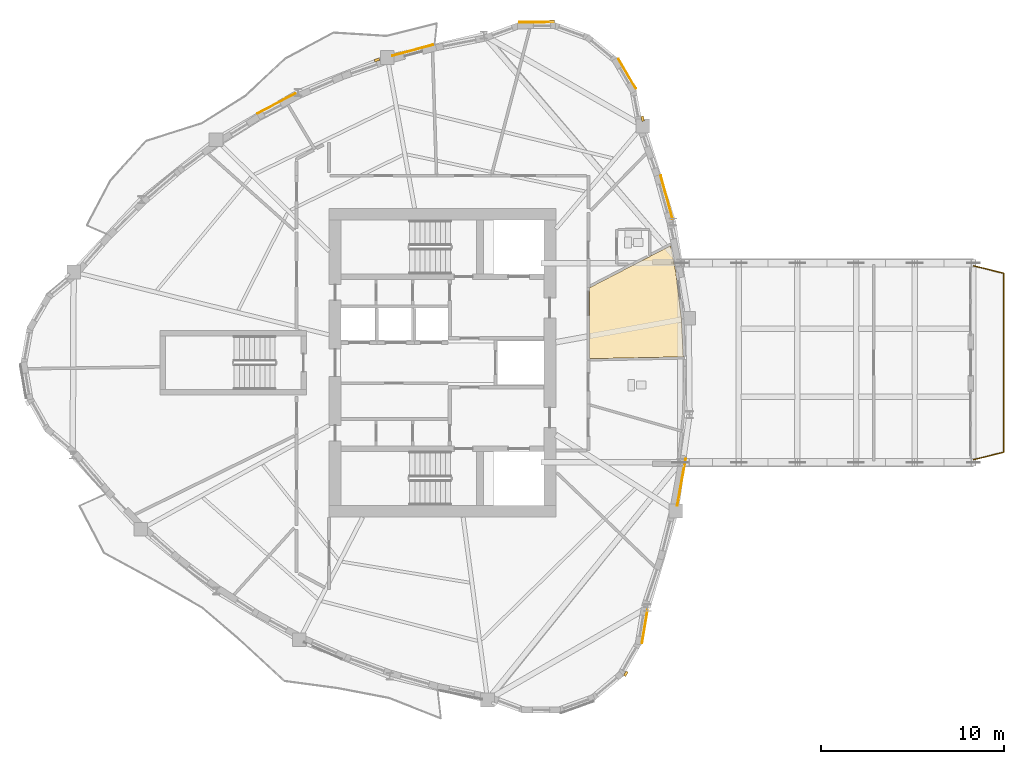
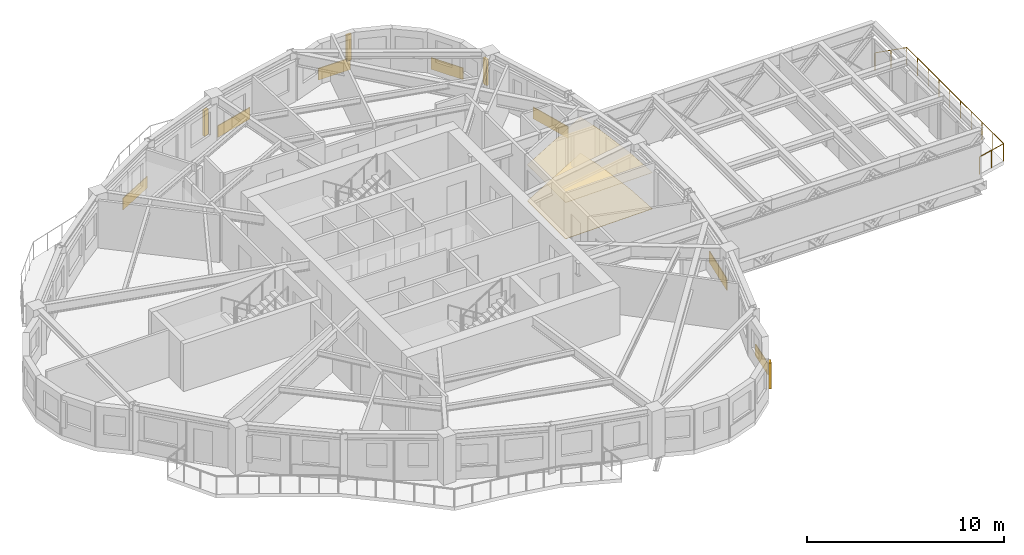
# One storey, part 12 of 13: 9 coverings, 4 shading devices, 1 railing.
"""IFC4 building model written with IfcOpenShell, lengths in metres."""

from ifc_helpers import new_model, si_unit, direction, frame, origin, origin_2d, place, context, subcontext, project, spatial, polyline, rectangle, circle, outline, extrude, source, transform, mapped, material, layer, layer_set, type_object, element, save


model = new_model("IFC4")

# Units and contexts
model_context = context("Model", 3, precision=1e-05, world=origin(), true_north=direction((0.0, 1.0)))
body_context = subcontext(model_context, "Body", "Model", "MODEL_VIEW")
ifc_project = project(units=[si_unit("LENGTHUNIT", "METRE"), si_unit("AREAUNIT", "SQUARE_METRE"), si_unit("VOLUMEUNIT", "CUBIC_METRE"), si_unit("PLANEANGLEUNIT", "RADIAN"), si_unit("MASSUNIT", "GRAM", prefix="KILO")], contexts=[model_context])

# Site, building, storey
site_placement = place(None, origin())
site = spatial("IfcSite", under=ifc_project, at=site_placement, CompositionType="ELEMENT")
building_placement = place(site_placement, origin())
building = spatial("IfcBuilding", under=site, at=building_placement, Name="Qafzar Sky-Pleat Residences", CompositionType="ELEMENT")
storey_placement = place(building_placement, frame((0.0, 0.0, 152.199951171875)))
storey = spatial("IfcBuildingStorey", under=building, at=storey_placement, Name="L45", CompositionType="ELEMENT", Elevation=152.199951171875)

# Coverings
ifc_material_1 = material(Name="Perforated acoustic gypsum board ceiling")
ifc_layer_1 = layer(ifc_material_1, 0.02001953125)
ifc_layer_set_1 = layer_set([ifc_layer_1], Name="Perforated acoustic gypsum board ceiling")
covering_type_1 = type_object("IfcCoveringType", Name="COV-CEIL-ACOUSTIC", PredefinedType="CEILING", material=ifc_layer_set_1)
covering_1_placement = place(storey_placement, frame((0.0, 0.0, 2.239990234375)))
element("IfcCovering", 1, at=covering_1_placement, inside=storey, type_object=covering_type_1, Name="L45 Co-Living Lounge Acoustic Ceiling", PredefinedType="CEILING", context=body_context, shape_type="SweptSolid", body=[
    extrude(outline(polyline([(43.104736328125, 31.0078125), (43.42724609375, 28.40478515625), (43.5263671875, 26.322998046875), (38.389892578125, 26.220458984375), (38.389892578125, 30.101318359375), (42.825927734375, 32.401611328125), (43.104736328125, 31.0078125)])), origin(), (0.0, 0.0, 1.0), 0.02001953125),
])
ifc_material_2 = material(Name="Honed porcelain and Riyadh stone tile flooring", Category="masonry")
ifc_layer_2 = layer(ifc_material_2, 0.02001953125)
ifc_layer_set_2 = layer_set([ifc_layer_2], Name="Honed porcelain and Riyadh stone tile flooring")
covering_type_2 = type_object("IfcCoveringType", Name="COV-FLR-PORCELAIN", PredefinedType="FLOORING", material=ifc_layer_set_2)
covering_2_placement = place(storey_placement, origin())
element("IfcCovering", 2, at=covering_2_placement, inside=storey, type_object=covering_type_2, Name="L45 Co-Living Lounge Honed Stone Flooring", PredefinedType="FLOORING", context=body_context, shape_type="SweptSolid", body=[
    extrude(outline(polyline([(43.104736328125, 31.0078125), (43.42724609375, 28.40478515625), (43.5263671875, 26.322998046875), (38.389892578125, 26.220458984375), (38.389892578125, 30.101318359375), (42.825927734375, 32.401611328125), (43.104736328125, 31.0078125)])), origin(), (0.0, 0.0, 1.0), 0.02001953125),
])

# Shading devices
ifc_material_3 = material(Name="Honed Riyadh limestone solar fin", Category="masonry")
ifc_layer_3 = layer(ifc_material_3, 0.139892578125)
ifc_layer_set_3 = layer_set([ifc_layer_3], Name="Honed Riyadh limestone solar fin")
shading_device_type = type_object("IfcShadingDeviceType", Name="SHD-FIN-STONE", PredefinedType="SHUTTER", material=ifc_layer_set_3)
shared_shape_1 = source(origin(), body_context, "Body", "SweptSolid", [
    extrude(rectangle(XDim=0.139892578125, YDim=0.280029296875, at=origin_2d()), origin(), (0.0, 0.0, 1.0), 1.60009765625),
])
for number, where, z_axis, x_axis, name in (
    (3, (40.382080078125, 8.986572265625, 0.60009765625), (0.0, 0.0, 1.0), (0.86842169793, -0.495826335086, 0.0), "L45 Limestone Solar Fin 21"),
    (4, (41.303955078125, 39.34912109375, 0.60009765625), (0.0, 0.0, 1.0), (0.983236665958, 0.182333920912, 0.0), "L45 Limestone Solar Fin 33"),
    (5, (36.347412109375, 44.678466796875, 0.60009765625), (0.0, 0.0, 1.0), (-0.002393888715, 0.999997134644, 0.0), "L45 Limestone Solar Fin 37"),
    (6, (26.76708984375, 42.565185546875, 0.60009765625), (0.0, 0.0, 1.0), (-0.329563194249, 0.944133518628, 0.0), "L45 Limestone Solar Fin 41"),
):
    element("IfcShadingDevice", number, at=place(storey_placement, frame(where, z_axis=z_axis, x_axis=x_axis)), inside=storey, type_object=shading_device_type, Name=name, PredefinedType="SHUTTER", context=body_context, shape_type="MappedRepresentation", body=[
        mapped(shared_shape_1, transform((0.0, 0.0, 0.0), x_axis=(1.0, 0.0, 0.0), y_axis=(0.0, 1.0, 0.0), z_axis=(0.0, 0.0, 1.0), scale=1.0)),
    ])

# Coverings
ifc_material_4 = material(Name="Honed Riyadh Tuwaiq limestone cladding", Category="masonry")
ifc_layer_4 = layer(ifc_material_4, 0.044921875)
ifc_layer_set_4 = layer_set([ifc_layer_4], Name="Honed Riyadh Tuwaiq limestone cladding")
covering_type_3 = type_object("IfcCoveringType", Name="COV-CLAD-STONE", PredefinedType="CLADDING", material=ifc_layer_set_4)
shared_shape_2 = source(origin(), body_context, "Body", "SweptSolid", [
    extrude(rectangle(XDim=1.873046875, YDim=0.044921875, at=origin_2d()), origin(), (0.0, 0.0, 1.0), 0.719970703125),
])
for number, where, z_axis, x_axis, name in (
    (7, (40.456787109375, 41.802001953125, 0.02001953125), (0.0, 0.0, 1.0), (-0.506268159892, 0.862376107206, 0.0), "L45 Riyadh Limestone Spandrel Cladding 34"),
    (8, (35.497314453125, 44.63330078125, 0.02001953125), (0.0, 0.0, 1.0), (-0.999997113828, -0.002402568631, 0.0), "L45 Riyadh Limestone Spandrel Cladding 37"),
):
    element("IfcCovering", number, at=place(storey_placement, frame(where, z_axis=z_axis, x_axis=x_axis)), inside=storey, type_object=covering_type_3, Name=name, PredefinedType="CLADDING", context=body_context, shape_type="MappedRepresentation", body=[
        mapped(shared_shape_2, transform((0.0, 0.0, 0.0), x_axis=(1.0, 0.0, 0.0), y_axis=(0.0, 1.0, 0.0), z_axis=(0.0, 0.0, 1.0), scale=1.0)),
    ])
shared_shape_3 = source(origin(), body_context, "Body", "SweptSolid", [
    extrude(rectangle(XDim=1.845703125, YDim=0.044921875, at=origin_2d()), origin(), (0.0, 0.0, 1.0), 0.719970703125),
])
covering_3_placement = place(storey_placement, frame((41.414306640625, 11.5703125, 0.02001953125), z_axis=(0.0, 0.0, 1.0), x_axis=(0.165656211386, 0.986183562847, 0.0)))
element("IfcCovering", 9, at=covering_3_placement, inside=storey, type_object=covering_type_3, Name="L45 Riyadh Limestone Spandrel Cladding 22", PredefinedType="CLADDING", context=body_context, shape_type="MappedRepresentation", body=[
    mapped(shared_shape_3, transform((0.0, 0.0, 0.0), x_axis=(1.0, 0.0, 0.0), y_axis=(0.0, 1.0, 0.0), z_axis=(0.0, 0.0, 1.0), scale=1.0)),
])
shared_shape_4 = source(origin(), body_context, "Body", "SweptSolid", [
    extrude(rectangle(XDim=2.61669921875, YDim=0.044921875, at=origin_2d()), origin(), (0.0, 0.0, 1.0), 0.719970703125),
])
covering_4_placement = place(storey_placement, frame((43.42333984375, 19.4697265625, 0.02001953125), z_axis=(0.0, 0.0, 1.0), x_axis=(0.177174987341, 0.984179365695, 0.0)))
element("IfcCovering", 10, at=covering_4_placement, inside=storey, type_object=covering_type_3, Name="L45 Riyadh Limestone Spandrel Cladding 25", PredefinedType="CLADDING", context=body_context, shape_type="MappedRepresentation", body=[
    mapped(shared_shape_4, transform((0.0, 0.0, 0.0), x_axis=(1.0, 0.0, 0.0), y_axis=(0.0, 1.0, 0.0), z_axis=(0.0, 0.0, 1.0), scale=1.0)),
])
shared_shape_5 = source(origin(), body_context, "Body", "SweptSolid", [
    extrude(rectangle(XDim=2.47021484375, YDim=0.044921875, at=origin_2d()), origin(), (0.0, 0.0, 1.0), 0.719970703125),
])
covering_5_placement = place(storey_placement, frame((42.6142578125, 35.048095703125, 0.02001953125), z_axis=(0.0, 0.0, 1.0), x_axis=(-0.266371456108, 0.96387045155, 0.0)))
element("IfcCovering", 11, at=covering_5_placement, inside=storey, type_object=covering_type_3, Name="L45 Riyadh Limestone Spandrel Cladding 31", PredefinedType="CLADDING", context=body_context, shape_type="MappedRepresentation", body=[
    mapped(shared_shape_5, transform((0.0, 0.0, 0.0), x_axis=(1.0, 0.0, 0.0), y_axis=(0.0, 1.0, 0.0), z_axis=(0.0, 0.0, 1.0), scale=1.0)),
])
shared_shape_6 = source(origin(), body_context, "Body", "SweptSolid", [
    extrude(rectangle(XDim=2.3076171875, YDim=0.044921875, at=origin_2d()), origin(), (0.0, 0.0, 1.0), 0.719970703125),
])
covering_6_placement = place(storey_placement, frame((28.7177734375, 43.0908203125, 0.02001953125), z_axis=(0.0, 0.0, 1.0), x_axis=(-0.965457048735, -0.260562251771, 0.0)))
element("IfcCovering", 12, at=covering_6_placement, inside=storey, type_object=covering_type_3, Name="L45 Riyadh Limestone Spandrel Cladding 40", PredefinedType="CLADDING", context=body_context, shape_type="MappedRepresentation", body=[
    mapped(shared_shape_6, transform((0.0, 0.0, 0.0), x_axis=(1.0, 0.0, 0.0), y_axis=(0.0, 1.0, 0.0), z_axis=(0.0, 0.0, 1.0), scale=1.0)),
])
shared_shape_7 = source(origin(), body_context, "Body", "SweptSolid", [
    extrude(rectangle(XDim=2.349609375, YDim=0.044921875, at=origin_2d()), origin(), (0.0, 0.0, 1.0), 0.719970703125),
])
covering_7_placement = place(storey_placement, frame((21.2724609375, 40.18701171875, 0.02001953125), z_axis=(0.0, 0.0, 1.0), x_axis=(-0.884390901414, -0.466746969456, 0.0)))
element("IfcCovering", 13, at=covering_7_placement, inside=storey, type_object=covering_type_3, Name="L45 Riyadh Limestone Spandrel Cladding 43", PredefinedType="CLADDING", context=body_context, shape_type="MappedRepresentation", body=[
    mapped(shared_shape_7, transform((0.0, 0.0, 0.0), x_axis=(1.0, 0.0, 0.0), y_axis=(0.0, 1.0, 0.0), z_axis=(0.0, 0.0, 1.0), scale=1.0)),
])

# Railing
ifc_material_5 = material(Name="Laminated glass and bronze steel balustrade", Category="steel")
railing_type = type_object("IfcRailingType", Name="RAIL-BAL-1100", PredefinedType="BALUSTRADE", material=ifc_material_5)
shared_shape_8 = source(origin(), body_context, "Body", "SweptSolid", [
    extrude(circle(Radius=0.02392578125, at=origin_2d()), frame((0.0, 0.0, 1.076171875), z_axis=(0.971325348019, 0.23775421825, 0.0), x_axis=(-0.23775421825, 0.971325348019, 0.0)), (0.0, 0.0, 1.0), 1.68310546875),
    extrude(circle(Radius=0.02392578125, at=origin_2d()), frame((1.634765625, 0.400146484375, 1.076171875), z_axis=(0.0, 1.0, 0.0), x_axis=(-1.0, 0.0, 0.0)), (0.0, 0.0, 1.0), 9.7998046875),
    extrude(circle(Radius=0.02392578125, at=origin_2d()), frame((1.634765625, 10.199951171875, 1.076171875), z_axis=(-0.971325348019, 0.23775421825, 0.0), x_axis=(-0.23775421825, -0.971325348019, 0.0)), (0.0, 0.0, 1.0), 1.68310546875),
    extrude(circle(Radius=0.02099609375, at=origin_2d()), origin(), (0.0, 0.0, 1.0), 1.052001953125),
    extrude(circle(Radius=0.02099609375, at=origin_2d()), frame((0.8173828125, 0.2001953125, 0.0)), (0.0, 0.0, 1.0), 1.052001953125),
    extrude(circle(Radius=0.02099609375, at=origin_2d()), frame((1.634765625, 0.400146484375, 0.0)), (0.0, 0.0, 1.0), 1.052001953125),
    extrude(circle(Radius=0.02099609375, at=origin_2d()), frame((1.634765625, 1.489013671875, 0.0)), (0.0, 0.0, 1.0), 1.052001953125),
    extrude(circle(Radius=0.02099609375, at=origin_2d()), frame((1.634765625, 2.577880859375, 0.0)), (0.0, 0.0, 1.0), 1.052001953125),
    extrude(circle(Radius=0.02099609375, at=origin_2d()), frame((1.634765625, 3.666748046875, 0.0)), (0.0, 0.0, 1.0), 1.052001953125),
    extrude(circle(Radius=0.02099609375, at=origin_2d()), frame((1.634765625, 4.755615234375, 0.0)), (0.0, 0.0, 1.0), 1.052001953125),
    extrude(circle(Radius=0.02099609375, at=origin_2d()), frame((1.634765625, 5.844482421875, 0.0)), (0.0, 0.0, 1.0), 1.052001953125),
    extrude(circle(Radius=0.02099609375, at=origin_2d()), frame((1.634765625, 6.933349609375, 0.0)), (0.0, 0.0, 1.0), 1.052001953125),
    extrude(circle(Radius=0.02099609375, at=origin_2d()), frame((1.634765625, 8.022216796875, 0.0)), (0.0, 0.0, 1.0), 1.052001953125),
    extrude(circle(Radius=0.02099609375, at=origin_2d()), frame((1.634765625, 9.111083984375, 0.0)), (0.0, 0.0, 1.0), 1.052001953125),
    extrude(circle(Radius=0.02099609375, at=origin_2d()), frame((1.634765625, 10.199951171875, 0.0)), (0.0, 0.0, 1.0), 1.052001953125),
    extrude(circle(Radius=0.02099609375, at=origin_2d()), frame((0.8173828125, 10.39990234375, 0.0)), (0.0, 0.0, 1.0), 1.052001953125),
    extrude(circle(Radius=0.02099609375, at=origin_2d()), frame((0.0, 10.60009765625, 0.0)), (0.0, 0.0, 1.0), 1.052001953125),
])
railing_placement = place(storey_placement, frame((59.40771484375, 20.699951171875, 0.0)))
element("IfcRailing", 14, at=railing_placement, inside=storey, type_object=railing_type, Name="L45 SB-4 Tip Observation Balcony Balustrade", PredefinedType="BALUSTRADE", context=body_context, shape_type="MappedRepresentation", body=[
    mapped(shared_shape_8, transform((0.0, 0.0, 0.0), x_axis=(1.0, 0.0, 0.0), y_axis=(0.0, 1.0, 0.0), z_axis=(0.0, 0.0, 1.0), scale=1.0)),
])

save(model, "model.ifc")
